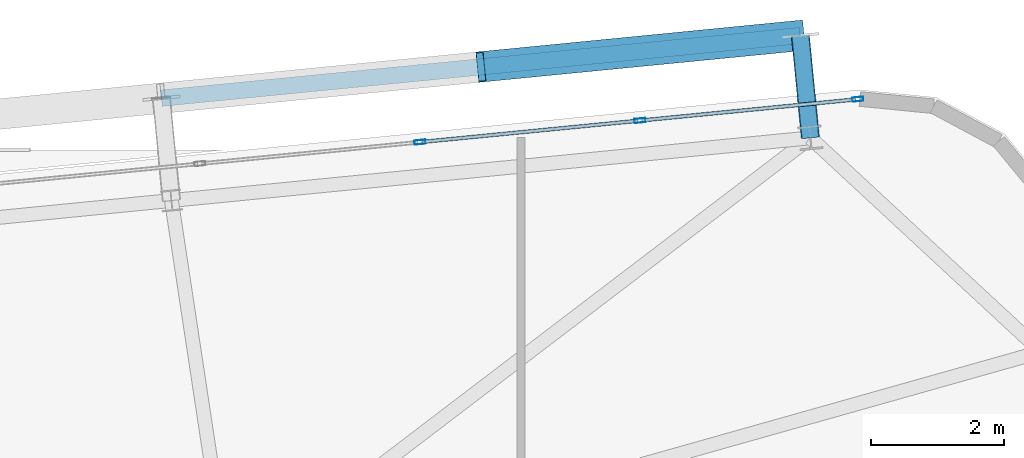
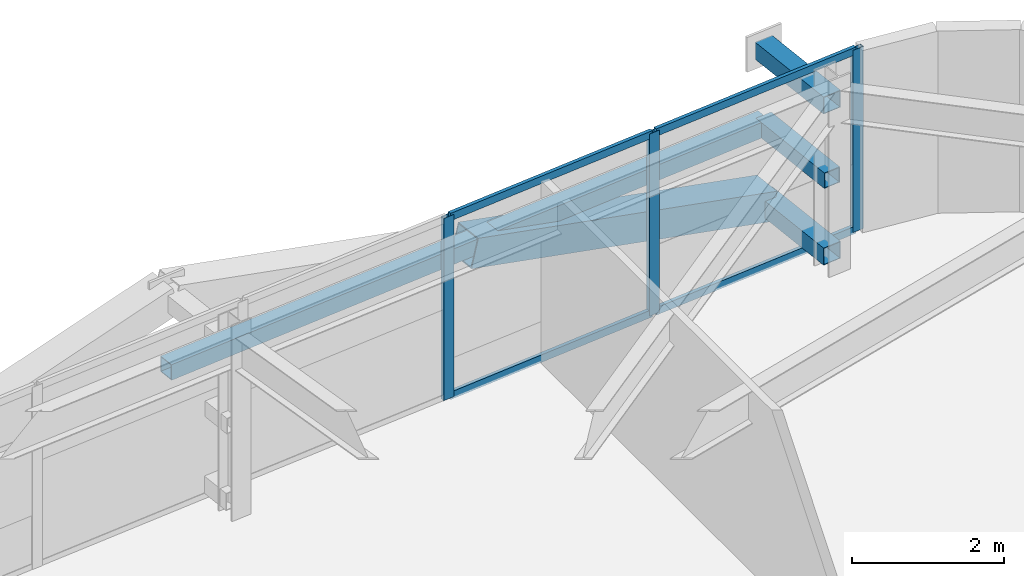
# One storey, part 33 of 51: 12 members, 1 element without a shape of its own.
"""IFC4 building model written with IfcOpenShell, lengths in metres."""

from ifc_helpers import new_model, si_unit, direction, frame, origin, origin_2d, place, context, subcontext, project, spatial, hollow_rectangle, extrude, source, transform, mapped, material, layer, layer_set, material_profile, profile_set, type_object, element, aggregate, save


model = new_model("IFC4")

# Units and contexts
model_context = context("Model", 3, precision=1e-05, world=origin(), true_north=direction((0.0, 1.0)))
body_context = subcontext(model_context, "Body", "Model", "MODEL_VIEW")
ifc_project = project(units=[si_unit("LENGTHUNIT", "METRE"), si_unit("AREAUNIT", "SQUARE_METRE"), si_unit("VOLUMEUNIT", "CUBIC_METRE"), si_unit("PLANEANGLEUNIT", "RADIAN"), si_unit("MASSUNIT", "GRAM", prefix="KILO")], contexts=[model_context])

# Site, building, storey
site_placement = place(None, origin())
site = spatial("IfcSite", under=ifc_project, at=site_placement, CompositionType="ELEMENT")
building_placement = place(site_placement, origin())
building = spatial("IfcBuilding", under=site, at=building_placement, Name="Taldren Reach Tower", CompositionType="ELEMENT")
storey_placement = place(building_placement, frame((0.0, 0.0, 65.10009765625)))
storey = spatial("IfcBuildingStorey", under=building, at=storey_placement, Name="L19", CompositionType="ELEMENT", Elevation=65.10009765625)

# Members
ifc_material_1 = material(Name="Steel Gr 450 (C450L0)", Category="steel")
ifc_material_profile_1 = material_profile(ifc_material_1, hollow_rectangle(XDim=0.27490234375, YDim=0.27490234375, WallThickness=0.00927734375, at=origin_2d()), Name="275x275x9.3SHS")
ifc_profile_set_1 = profile_set([ifc_material_profile_1], Name="Steel Gr 450 (C450L0)")
member_type_1 = type_object("IfcMemberType", Name="MB-TIE273", PredefinedType="STRUT", material=ifc_profile_set_1)
shared_shape_1 = source(origin(), body_context, "Body", "SweptSolid", [
    extrude(hollow_rectangle(XDim=0.27490234375, YDim=0.27490234375, WallThickness=0.00927734375, at=origin_2d()), origin(), (0.0, 0.0, 1.0), 1.5498046875),
])
for number, where, z_axis, x_axis, name in (
    (1, (59.765869140625, 38.679931640625, 2.64990234375), (-0.097663201064, 0.995219523099, 0.0), (-0.995219523099, -0.097663201064, 0.0), "Exoskeleton diaphragm tie strut B2-N6 L19"),
    (2, (59.765869140625, 38.679931640625, 0.219970703125), (-0.097663201064, 0.995219523099, 0.0), (-0.995219523099, -0.097663201064, 0.0), "Exoskeleton base diaphragm tie strut B2-N6 L19"),
):
    element("IfcMember", number, at=place(storey_placement, frame(where, z_axis=z_axis, x_axis=x_axis)), inside=storey, type_object=member_type_1, Name=name, PredefinedType="STRUT", context=body_context, shape_type="MappedRepresentation", body=[
        mapped(shared_shape_1, transform((0.0, 0.0, 0.0), scale=1.0)),
    ])
ifc_material_2 = material(Name="Steel Gr 350 (C350L0)", Category="steel")
ifc_material_profile_2 = material_profile(ifc_material_2, hollow_rectangle(XDim=0.25, YDim=0.25, WallThickness=0.010009765625, at=origin_2d()), Name="250x250x10.0SHS")
ifc_profile_set_2 = profile_set([ifc_material_profile_2], Name="Steel Gr 350 (C350L0)")
member_type_2 = type_object("IfcMemberType", Name="MB-POST250", PredefinedType="POST", material=ifc_profile_set_2)
shared_shape_2 = source(origin(), body_context, "Body", "SweptSolid", [
    extrude(hollow_rectangle(XDim=0.25, YDim=0.25, WallThickness=0.010009765625, at=origin_2d()), origin(), (0.0, 0.0, 1.0), 1.5498046875),
])
member_1_placement = place(storey_placement, frame((59.765869140625, 38.679931640625, 1.434814453125), z_axis=(-0.097663201064, 0.995219523099, 0.0), x_axis=(-0.995219523099, -0.097663201064, 0.0)))
element("IfcMember", 3, at=member_1_placement, inside=storey, type_object=member_type_2, Name="Exoskeleton mid-tier diaphragm tie B2-N6 L19", PredefinedType="POST", context=body_context, shape_type="MappedRepresentation", body=[
    mapped(shared_shape_2, transform((0.0, 0.0, 0.0), scale=1.0)),
])
ifc_material_profile_3 = material_profile(ifc_material_1, hollow_rectangle(XDim=0.4599609375, YDim=0.4599609375, WallThickness=0.01611328125, at=origin_2d()), Name="460x460x16.0SHS")
ifc_profile_set_3 = profile_set([ifc_material_profile_3], Name="Steel Gr 450 (C450L0)")
member_type_3 = type_object("IfcMemberType", Name="MB-EXO457", PredefinedType="BRACE", material=ifc_profile_set_3)
shared_shape_3 = source(origin(), body_context, "Body", "SweptSolid", [
    extrude(hollow_rectangle(XDim=0.4599609375, YDim=0.4599609375, WallThickness=0.01611328125, at=origin_2d()), origin(), (0.0, 0.0, 1.0), 4.990234375),
])
member_2_placement = place(storey_placement, frame((59.614501953125, 40.222412109375, 0.219970703125), z_axis=(-0.965287024526, -0.094620633828, 0.24344998652), x_axis=(0.097555749586, -0.995230061706, 0.0)))
element("IfcMember", 4, at=member_2_placement, inside=storey, type_object=member_type_3, Name="Exoskeleton Diagrid Brace B2-N5 L19", PredefinedType="BRACE", context=body_context, shape_type="MappedRepresentation", body=[
    mapped(shared_shape_3, transform((0.0, 0.0, 0.0), scale=1.0)),
])
shared_shape_4 = source(origin(), body_context, "Body", "SweptSolid", [
    extrude(hollow_rectangle(XDim=0.25, YDim=0.25, WallThickness=0.010009765625, at=origin_2d()), origin(), (0.0, 0.0, 1.0), 9.679931640625),
])
member_3_placement = place(storey_placement, frame((49.980712890625, 39.27783203125, 1.434814453125), z_axis=(0.995227612658, 0.097580730699, 0.0), x_axis=(-0.097580730699, 0.995227612658, 0.0)))
element("IfcMember", 5, at=member_3_placement, inside=storey, type_object=member_type_2, Name="Exoskeleton mid-height ring chord B2-N5 L19", PredefinedType="POST", context=body_context, shape_type="MappedRepresentation", body=[
    mapped(shared_shape_4, transform((0.0, 0.0, 0.0), scale=1.0)),
])

# Curtain wall, members
ifc_material_3 = material(Name="Aluminium and Low-E Glass Unitised System", Category="aluminium")
ifc_layer = layer(ifc_material_3, 0.159912109375)
ifc_layer_set = layer_set([ifc_layer], Name="Aluminium and Low-E Glass Unitised System")
curtain_wall_type = type_object("IfcCurtainWallType", Name="CW-SYS-3", PredefinedType="NOTDEFINED", material=ifc_layer_set)
curtain_wall_placement = place(storey_placement, origin())
curtain_wall = element("IfcCurtainWall", 6, at=curtain_wall_placement, inside=storey, type_object=curtain_wall_type, Name="Unitised curtain wall CW-L19-N", PredefinedType="NOTDEFINED")
ifc_material_4 = material(Name="Anodised Aluminium 6063-T6", Category="aluminium")
ifc_material_profile_4 = material_profile(ifc_material_4, hollow_rectangle(XDim=0.06494140625, YDim=0.1650390625, WallThickness=0.00390625, at=origin_2d()), Name="ALU-165x65x4RHS")
ifc_profile_set_4 = profile_set([ifc_material_profile_4], Name="Anodised Aluminium 6063-T6")
member_type_4 = type_object("IfcMemberType", Name="CW-MUL-165", PredefinedType="MULLION", material=ifc_profile_set_4)
shared_shape_5 = source(origin(), body_context, "Body", "SweptSolid", [
    extrude(hollow_rectangle(XDim=0.06494140625, YDim=0.1650390625, WallThickness=0.00390625, at=origin_2d()), origin(), (0.0, 0.0, 1.0), 2.929931640625),
])
member_4_placement = place(storey_placement, frame((60.47998046875, 39.262451171875, 0.0), z_axis=(0.0, 0.0, 1.0), x_axis=(0.097582999046, -0.995227390247, 0.0)))
member_4 = element("IfcMember", 7, at=member_4_placement, type_object=member_type_4, Name="CW-3 mullion 1", PredefinedType="MULLION", context=body_context, shape_type="MappedRepresentation", body=[
    mapped(shared_shape_5, transform((0.0, 0.0, 0.0), scale=1.0)),
])
member_5_placement = place(storey_placement, frame((57.19482421875, 38.940185546875, 0.0), z_axis=(0.0, 0.0, 1.0), x_axis=(0.097582999046, -0.995227390247, 0.0)))
member_5 = element("IfcMember", 8, at=member_5_placement, type_object=member_type_4, Name="CW-3 mullion 2", PredefinedType="MULLION", context=body_context, shape_type="MappedRepresentation", body=[
    mapped(shared_shape_5, transform((0.0, 0.0, 0.0), scale=1.0)),
])
member_6_placement = place(storey_placement, frame((53.87744140625, 38.614990234375, 0.0), z_axis=(0.0, 0.0, 1.0), x_axis=(0.097582999046, -0.995227390247, 0.0)))
member_6 = element("IfcMember", 9, at=member_6_placement, type_object=member_type_4, Name="CW-3 mullion 3", PredefinedType="MULLION", context=body_context, shape_type="MappedRepresentation", body=[
    mapped(shared_shape_5, transform((0.0, 0.0, 0.0), scale=1.0)),
])
ifc_material_profile_5 = material_profile(ifc_material_4, hollow_rectangle(XDim=0.054931640625, YDim=0.1201171875, WallThickness=0.0029296875, at=origin_2d()), Name="ALU-120x55x3RHS")
ifc_profile_set_5 = profile_set([ifc_material_profile_5], Name="Anodised Aluminium 6063-T6")
member_type_5 = type_object("IfcMemberType", Name="CW-TRN-135", PredefinedType="USERDEFINED", material=ifc_profile_set_5)
shared_shape_6 = source(origin(), body_context, "Body", "SweptSolid", [
    extrude(hollow_rectangle(XDim=0.054931640625, YDim=0.1201171875, WallThickness=0.0029296875, at=origin_2d()), origin(), (0.0, 0.0, 1.0), 3.23583984375),
])
member_7_placement = place(storey_placement, frame((60.447509765625, 39.25927734375, 0.02734375), z_axis=(-0.995222920971, -0.097628569459, 0.0), x_axis=(0.097628569459, -0.995222920971, 0.0)))
member_7 = element("IfcMember", 10, at=member_7_placement, type_object=member_type_5, Name="CW-3 transom 1.1", ObjectType="TRANSOM", PredefinedType="USERDEFINED", context=body_context, shape_type="MappedRepresentation", body=[
    mapped(shared_shape_6, transform((0.0, 0.0, 0.0), scale=1.0)),
])
member_8_placement = place(storey_placement, frame((60.447509765625, 39.25927734375, 2.90234375), z_axis=(-0.995222920971, -0.097628569459, 0.0), x_axis=(0.097628569459, -0.995222920971, 0.0)))
member_8 = element("IfcMember", 11, at=member_8_placement, type_object=member_type_5, Name="CW-3 transom 1.2", ObjectType="TRANSOM", PredefinedType="USERDEFINED", context=body_context, shape_type="MappedRepresentation", body=[
    mapped(shared_shape_6, transform((0.0, 0.0, 0.0), scale=1.0)),
])
shared_shape_7 = source(origin(), body_context, "Body", "SweptSolid", [
    extrude(hollow_rectangle(XDim=0.054931640625, YDim=0.1201171875, WallThickness=0.0029296875, at=origin_2d()), origin(), (0.0, 0.0, 1.0), 3.2685546875),
])
member_9_placement = place(storey_placement, frame((57.16259765625, 38.93701171875, 0.02734375), z_axis=(-0.99523051601, -0.097551114824, 0.0), x_axis=(0.097551114824, -0.99523051601, 0.0)))
member_9 = element("IfcMember", 12, at=member_9_placement, type_object=member_type_5, Name="CW-3 transom 2.1", ObjectType="TRANSOM", PredefinedType="USERDEFINED", context=body_context, shape_type="MappedRepresentation", body=[
    mapped(shared_shape_7, transform((0.0, 0.0, 0.0), scale=1.0)),
])
member_10_placement = place(storey_placement, frame((57.16259765625, 38.93701171875, 2.90234375), z_axis=(-0.99523051601, -0.097551114824, 0.0), x_axis=(0.097551114824, -0.99523051601, 0.0)))
member_10 = element("IfcMember", 13, at=member_10_placement, type_object=member_type_5, Name="CW-3 transom 2.2", ObjectType="TRANSOM", PredefinedType="USERDEFINED", context=body_context, shape_type="MappedRepresentation", body=[
    mapped(shared_shape_7, transform((0.0, 0.0, 0.0), scale=1.0)),
])
aggregate(curtain_wall, [member_4, member_5, member_6, member_7, member_8, member_9, member_10])

save(model, "model.ifc")
